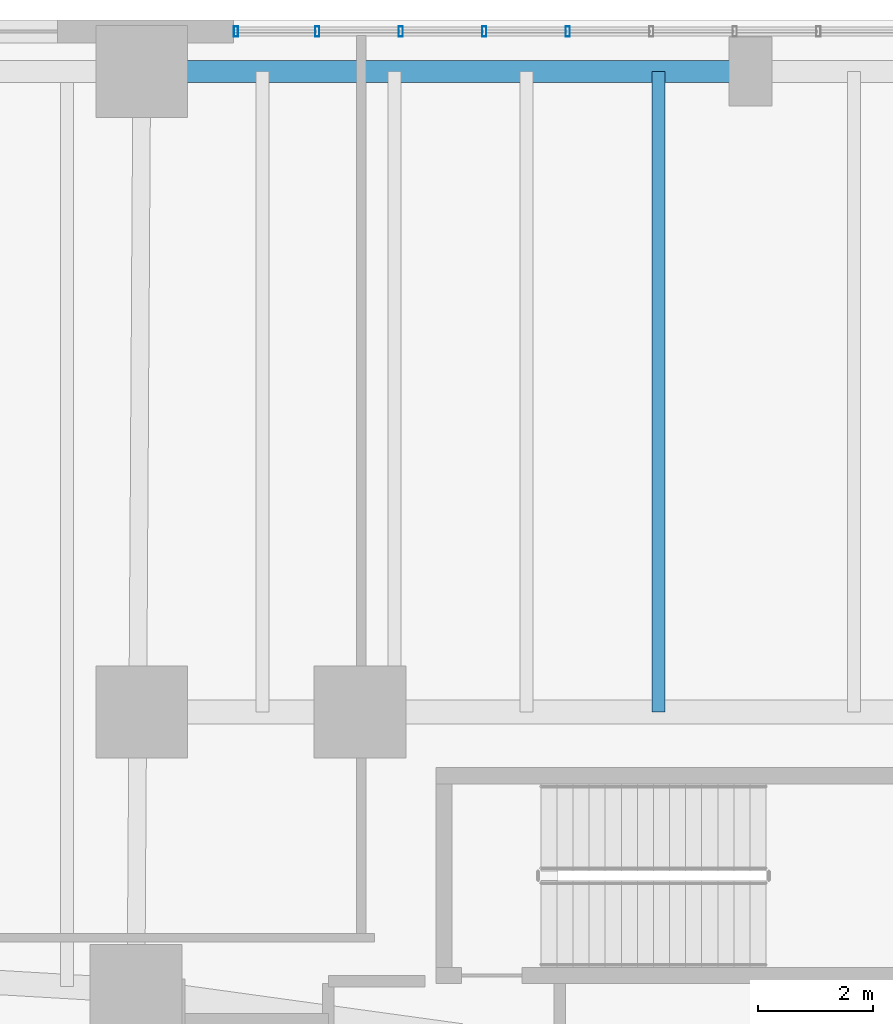
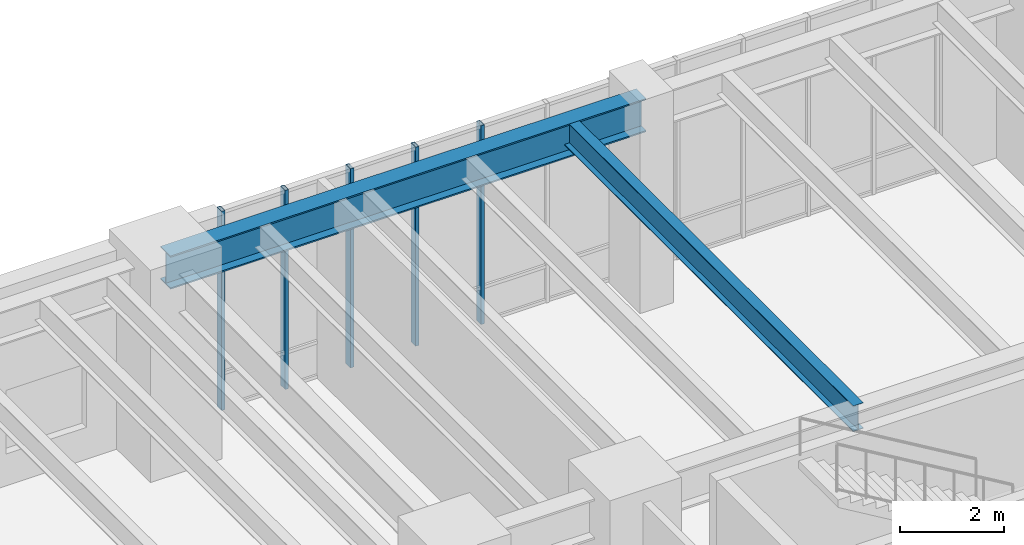
# One storey, part 10 of 26: 5 members, 2 beams, 1 element without a shape of its own.
"""IFC4 building model written with IfcOpenShell, lengths in metres."""

from ifc_helpers import new_model, si_unit, direction, frame, origin, origin_2d, place, context, subcontext, project, spatial, hollow_rectangle, i_section, extrude, material, layer, layer_set, material_profile, profile_set, type_object, element, aggregate, save


model = new_model("IFC4")

# Units and contexts
model_context = context("Model", 3, precision=1e-05, world=origin(), true_north=direction((0.0, 1.0)))
body_context = subcontext(model_context, "Body", "Model", "MODEL_VIEW")
ifc_project = project(units=[si_unit("LENGTHUNIT", "METRE"), si_unit("AREAUNIT", "SQUARE_METRE"), si_unit("VOLUMEUNIT", "CUBIC_METRE"), si_unit("PLANEANGLEUNIT", "RADIAN"), si_unit("MASSUNIT", "GRAM", prefix="KILO"), si_unit("THERMODYNAMICTEMPERATUREUNIT", "KELVIN"), si_unit("POWERUNIT", "WATT")], contexts=[model_context])

# Site, building, storey
site_placement = place(None, origin())
site = spatial("IfcSite", under=ifc_project, at=site_placement, CompositionType="ELEMENT")
building_placement = place(site_placement, origin())
building = spatial("IfcBuilding", under=site, at=building_placement, Name="Skarre Station Tower", CompositionType="ELEMENT")
storey_placement = place(building_placement, frame((0.0, 0.0, 6.0)))
storey = spatial("IfcBuildingStorey", under=building, at=storey_placement, Name="L02", CompositionType="ELEMENT", Elevation=6.0)

# Curtain wall, members
ifc_material_1 = material(Name="Thermally Broken Bronze-Anodized Aluminium & Triple Low-E Glass", Category="aluminium")
ifc_layer = layer(ifc_material_1, 0.199951171875, Name="Thermally Broken Bronze-Anodized Aluminium & Triple Low-E Glass")
ifc_layer_set = layer_set([ifc_layer], Name="Thermally Broken Bronze-Anodized Aluminium & Triple Low-E Glass")
curtain_wall_type = type_object("IfcCurtainWallType", Name="Podium Transit Arcade Stick Curtain Wall", PredefinedType="NOTDEFINED", material=ifc_layer_set)
curtain_wall_placement = place(storey_placement, origin())
curtain_wall = element("IfcCurtainWall", 1, at=curtain_wall_placement, inside=storey, type_object=curtain_wall_type, Name="L02 North Arcade West Curtain Wall", PredefinedType="NOTDEFINED")
ifc_material_2 = material(Name="Anodized Aluminium 6063-T6", Category="aluminium")
ifc_material_profile_1 = material_profile(ifc_material_2, hollow_rectangle(XDim=0.074951171875, YDim=0.179931640625, WallThickness=0.00390625, at=origin_2d()), Name="Anodized Aluminium 6063-T6")
ifc_profile_set_1 = profile_set([ifc_material_profile_1], Name="Anodized Aluminium 6063-T6")
member_type = type_object("IfcMemberType", Name="Curtain-Wall Unitised Tower Mullion 180x75", PredefinedType="MULLION", material=ifc_profile_set_1)
member_1_placement = place(storey_placement, frame((18.0400390625, 47.800048828125, 0.0), z_axis=(0.0, 0.0, 1.0), x_axis=(1.0, 0.0, 0.0)))
member_1 = element("IfcMember", 2, at=member_1_placement, type_object=member_type, Name="L02 North Arcade West Curtain Wall Mullion 1", PredefinedType="MULLION", context=body_context, shape_type="SweptSolid", body=[
    extrude(hollow_rectangle(XDim=0.074951171875, YDim=0.179931640625, WallThickness=0.00390625, at=origin_2d()), origin(), (0.0, 0.0, 1.0), 4.68994140625),
])
member_2_placement = place(storey_placement, frame((19.455078125, 47.800048828125, 0.0), z_axis=(0.0, 0.0, 1.0), x_axis=(1.0, 0.0, 0.0)))
member_2 = element("IfcMember", 3, at=member_2_placement, type_object=member_type, Name="L02 North Arcade West Curtain Wall Mullion 2", PredefinedType="MULLION", context=body_context, shape_type="SweptSolid", body=[
    extrude(hollow_rectangle(XDim=0.074951171875, YDim=0.179931640625, WallThickness=0.00390625, at=origin_2d()), origin(), (0.0, 0.0, 1.0), 4.68994140625),
])
member_3_placement = place(storey_placement, frame((20.908935546875, 47.800048828125, 0.0), z_axis=(0.0, 0.0, 1.0), x_axis=(1.0, 0.0, 0.0)))
member_3 = element("IfcMember", 4, at=member_3_placement, type_object=member_type, Name="L02 North Arcade West Curtain Wall Mullion 3", PredefinedType="MULLION", context=body_context, shape_type="SweptSolid", body=[
    extrude(hollow_rectangle(XDim=0.074951171875, YDim=0.179931640625, WallThickness=0.00390625, at=origin_2d()), origin(), (0.0, 0.0, 1.0), 4.68994140625),
])
member_4_placement = place(storey_placement, frame((22.364013671875, 47.800048828125, 0.0), z_axis=(0.0, 0.0, 1.0), x_axis=(1.0, 0.0, 0.0)))
member_4 = element("IfcMember", 5, at=member_4_placement, type_object=member_type, Name="L02 North Arcade West Curtain Wall Mullion 4", PredefinedType="MULLION", context=body_context, shape_type="SweptSolid", body=[
    extrude(hollow_rectangle(XDim=0.074951171875, YDim=0.179931640625, WallThickness=0.00390625, at=origin_2d()), origin(), (0.0, 0.0, 1.0), 4.68994140625),
])
member_5_placement = place(storey_placement, frame((23.818115234375, 47.800048828125, 0.0), z_axis=(0.0, 0.0, 1.0), x_axis=(1.0, 0.0, 0.0)))
member_5 = element("IfcMember", 6, at=member_5_placement, type_object=member_type, Name="L02 North Arcade West Curtain Wall Mullion 5", PredefinedType="MULLION", context=body_context, shape_type="SweptSolid", body=[
    extrude(hollow_rectangle(XDim=0.074951171875, YDim=0.179931640625, WallThickness=0.00390625, at=origin_2d()), origin(), (0.0, 0.0, 1.0), 4.68994140625),
])
aggregate(curtain_wall, [member_1, member_2, member_3, member_4, member_5])

# Beams
ifc_material_3 = material(Name="Steel ASTM A992 Grade 50", Category="steel")
ifc_material_profile_2 = material_profile(ifc_material_3, i_section(OverallWidth=0.22802734375, OverallDepth=0.60791015625, WebThickness=0.010986328125, FlangeThickness=0.01708984375, at=origin_2d()), Name="Steel ASTM A992 Grade 50")
ifc_profile_set_2 = profile_set([ifc_material_profile_2], Name="Steel ASTM A992 Grade 50")
beam_type_1 = type_object("IfcBeamType", Name="Steel Joist W24X76", PredefinedType="JOIST", material=ifc_profile_set_2)
beam_1_placement = place(storey_placement, frame((25.39990234375, 35.949951171875, 4.385986328125), z_axis=(0.0, 1.0, 0.0), x_axis=(-1.0, 0.0, 0.0)))
element("IfcBeam", 7, at=beam_1_placement, inside=storey, type_object=beam_type_1, Name="L02 North Bay Joist 10", PredefinedType="JOIST", context=body_context, shape_type="SweptSolid", body=[
    extrude(i_section(OverallWidth=0.22802734375, OverallDepth=0.60791015625, WebThickness=0.010986328125, FlangeThickness=0.01708984375, at=origin_2d()), origin(), (0.0, 0.0, 1.0), 11.150146484375),
])
ifc_material_profile_3 = material_profile(ifc_material_3, i_section(OverallWidth=0.384033203125, OverallDepth=0.785888671875, WebThickness=0.02001953125, FlangeThickness=0.032958984375, at=origin_2d()), Name="Steel ASTM A992 Grade 50")
ifc_profile_set_3 = profile_set([ifc_material_profile_3], Name="Steel ASTM A992 Grade 50")
beam_type_2 = type_object("IfcBeamType", Name="Steel Spandrel W30X211", PredefinedType="SPANDREL", material=ifc_profile_set_3)
beam_2_placement = place(storey_placement, frame((16.39990234375, 47.10009765625, 4.297119140625), z_axis=(1.0, 0.0, 0.0), x_axis=(0.0, 1.0, 0.0)))
element("IfcBeam", 8, at=beam_2_placement, inside=storey, type_object=beam_type_2, Name="L02 North Podium Spandrel 3", PredefinedType="SPANDREL", context=body_context, shape_type="SweptSolid", body=[
    extrude(i_section(OverallWidth=0.384033203125, OverallDepth=0.785888671875, WebThickness=0.02001953125, FlangeThickness=0.032958984375, at=origin_2d()), origin(), (0.0, 0.0, 1.0), 10.60009765625),
])

save(model, "model.ifc")
